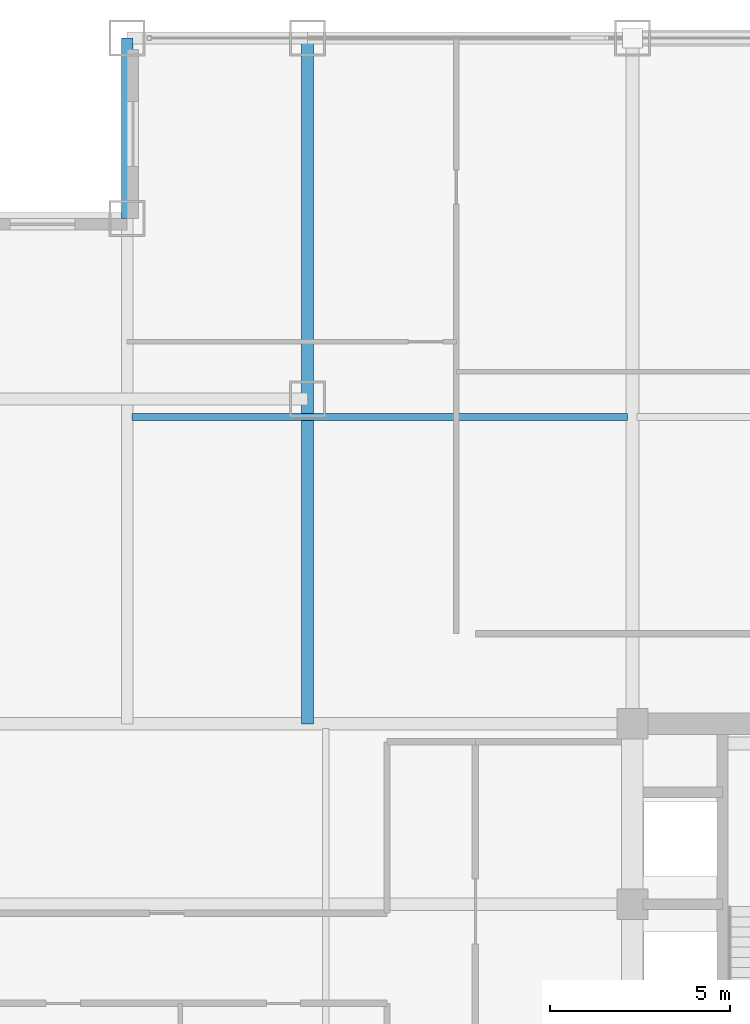
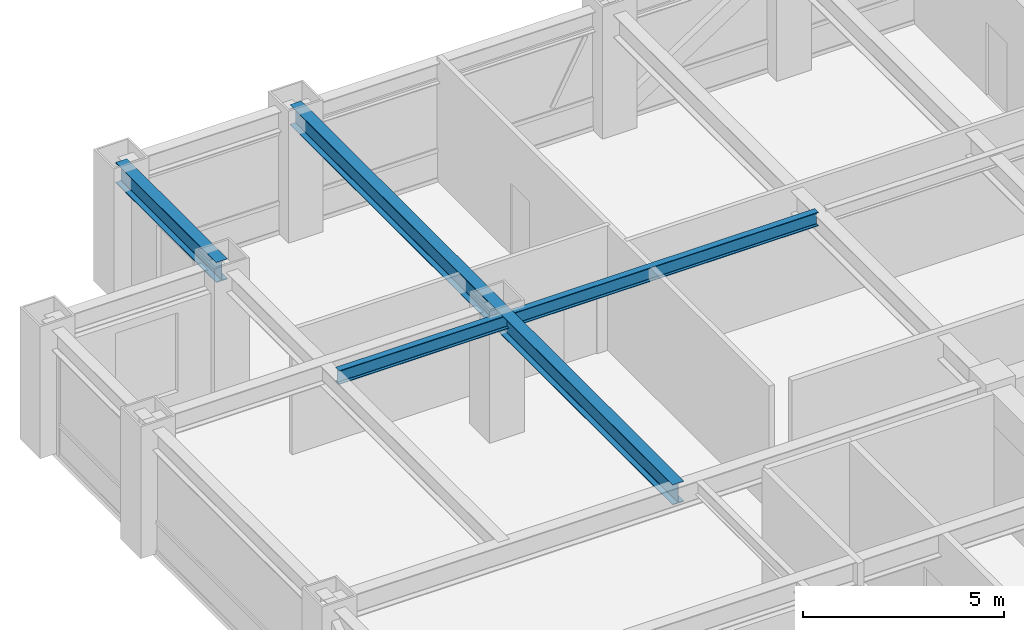
# One storey, part 13 of 24: 3 beams.
"""IFC4 building model written with IfcOpenShell, lengths in metres."""

from ifc_helpers import new_model, si_unit, direction, frame, origin, origin_2d, place, context, subcontext, project, spatial, i_section, extrude, source, transform, mapped, material, material_profile, profile_set, type_object, element, save


model = new_model("IFC4")

# Units and contexts
model_context = context("Model", 3, precision=1e-05, world=origin(), true_north=direction((0.0, 1.0)))
body_context = subcontext(model_context, "Body", "Model", "MODEL_VIEW")
ifc_project = project(units=[si_unit("LENGTHUNIT", "METRE"), si_unit("AREAUNIT", "SQUARE_METRE"), si_unit("VOLUMEUNIT", "CUBIC_METRE"), si_unit("PLANEANGLEUNIT", "RADIAN"), si_unit("MASSUNIT", "GRAM", prefix="KILO")], contexts=[model_context])

# Site, building, storey
site_placement = place(None, origin())
site = spatial("IfcSite", under=ifc_project, at=site_placement, CompositionType="ELEMENT")
building_placement = place(site_placement, origin())
building = spatial("IfcBuilding", under=site, at=building_placement, Name="Khorayat Bourse Tower", CompositionType="ELEMENT")
storey_placement = place(building_placement, frame((0.0, 0.0, 259.10009765625)))
storey = spatial("IfcBuildingStorey", under=building, at=storey_placement, Name="L61", CompositionType="ELEMENT", Elevation=259.10009765625)

# Beams
ifc_material = material(Name="Steel ASTM A992 Grade 50", Category="steel")
ifc_material_profile_1 = material_profile(ifc_material, i_section(OverallWidth=0.324951171875, OverallDepth=0.615966796875, WebThickness=0.013916015625, FlangeThickness=0.021484375, FilletRadius=0.01611328125, at=origin_2d()), Name="W610X174")
ifc_profile_set_1 = profile_set([ifc_material_profile_1], Name="Steel ASTM A992 Grade 50")
beam_type_1 = type_object("IfcBeamType", Name="BM-GIRD-610", PredefinedType="BEAM", material=ifc_profile_set_1)
shared_shape_1 = source(origin(), body_context, "Body", "SweptSolid", [
    extrude(i_section(OverallWidth=0.324951171875, OverallDepth=0.615966796875, WebThickness=0.013916015625, FlangeThickness=0.021484375, FilletRadius=0.01611328125, at=origin_2d()), origin(), (0.0, 0.0, 1.0), 19.0),
])
beam_1_placement = place(storey_placement, frame((-20.0, 11.0, 3.471923828125), z_axis=(0.0, 1.0, 0.0), x_axis=(-1.0, 0.0, 0.0)))
element("IfcBeam", 1, at=beam_1_placement, inside=storey, type_object=beam_type_1, Name="L61 BM-GIRD-610 BM-L61-CNRY-085", PredefinedType="BEAM", context=body_context, shape_type="MappedRepresentation", body=[
    mapped(shared_shape_1, transform((0.0, 0.0, 0.0), scale=1.0)),
])
ifc_material_profile_2 = material_profile(ifc_material, i_section(OverallWidth=0.324951171875, OverallDepth=0.615966796875, WebThickness=0.013916015625, FlangeThickness=0.021484375, FilletRadius=0.01611328125, at=origin_2d()), Name="W610X174")
ifc_profile_set_2 = profile_set([ifc_material_profile_2], Name="Steel ASTM A992 Grade 50")
beam_type_2 = type_object("IfcBeamType", Name="BM-SPAN-610", PredefinedType="SPANDREL", material=ifc_profile_set_2)
shared_shape_2 = source(origin(), body_context, "Body", "SweptSolid", [
    extrude(i_section(OverallWidth=0.324951171875, OverallDepth=0.615966796875, WebThickness=0.013916015625, FlangeThickness=0.021484375, FilletRadius=0.01611328125, at=origin_2d()), origin(), (0.0, 0.0, 1.0), 5.0),
])
beam_2_placement = place(storey_placement, frame((-25.0, 25.0, 3.471923828125), z_axis=(0.0, 1.0, 0.0), x_axis=(-1.0, 0.0, 0.0)))
element("IfcBeam", 2, at=beam_2_placement, inside=storey, type_object=beam_type_2, Name="L61 BM-SPAN-610 BM-L61-SPN-052", PredefinedType="SPANDREL", context=body_context, shape_type="MappedRepresentation", body=[
    mapped(shared_shape_2, transform((0.0, 0.0, 0.0), scale=1.0)),
])
ifc_material_profile_3 = material_profile(ifc_material, i_section(OverallWidth=0.180908203125, OverallDepth=0.4169921875, WebThickness=0.010986328125, FlangeThickness=0.018310546875, FilletRadius=0.011962890625, at=origin_2d()), Name="W410X85")
ifc_profile_set_3 = profile_set([ifc_material_profile_3], Name="Steel ASTM A992 Grade 50")
beam_type_3 = type_object("IfcBeamType", Name="BM-JOIST-410", PredefinedType="JOIST", material=ifc_profile_set_3)
shared_shape_3 = source(origin(), body_context, "Body", "SweptSolid", [
    extrude(i_section(OverallWidth=0.180908203125, OverallDepth=0.4169921875, WebThickness=0.010986328125, FlangeThickness=0.018310546875, FilletRadius=0.011962890625, at=origin_2d()), origin(), (0.0, 0.0, 1.0), 13.740234375),
])
beam_3_placement = place(storey_placement, frame((-24.8701171875, 19.5, 3.5712890625), z_axis=(1.0, 0.0, 0.0), x_axis=(0.0, 1.0, 0.0)))
element("IfcBeam", 3, at=beam_3_placement, inside=storey, type_object=beam_type_3, Name="L61 BM-JOIST-410 BM-L61-JSTX-099", PredefinedType="JOIST", context=body_context, shape_type="MappedRepresentation", body=[
    mapped(shared_shape_3, transform((0.0, 0.0, 0.0), scale=1.0)),
])

save(model, "model.ifc")
